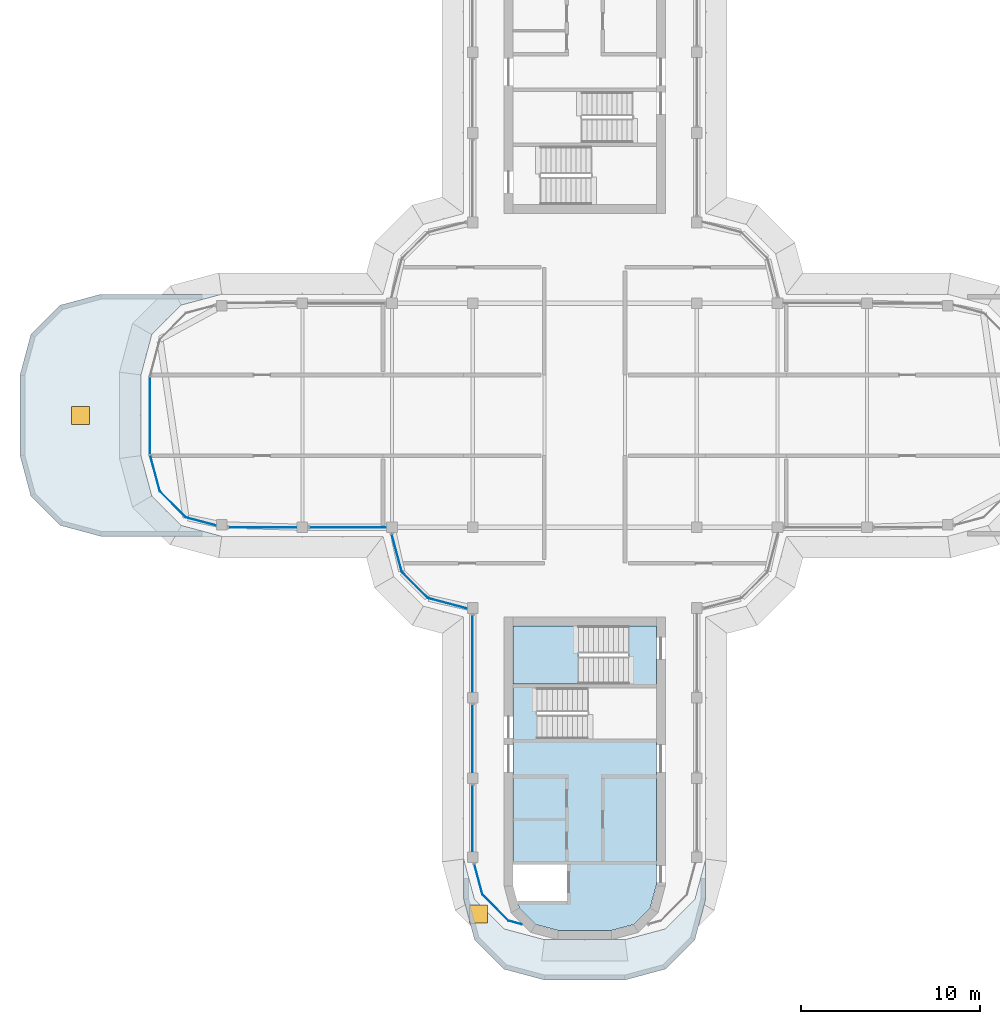
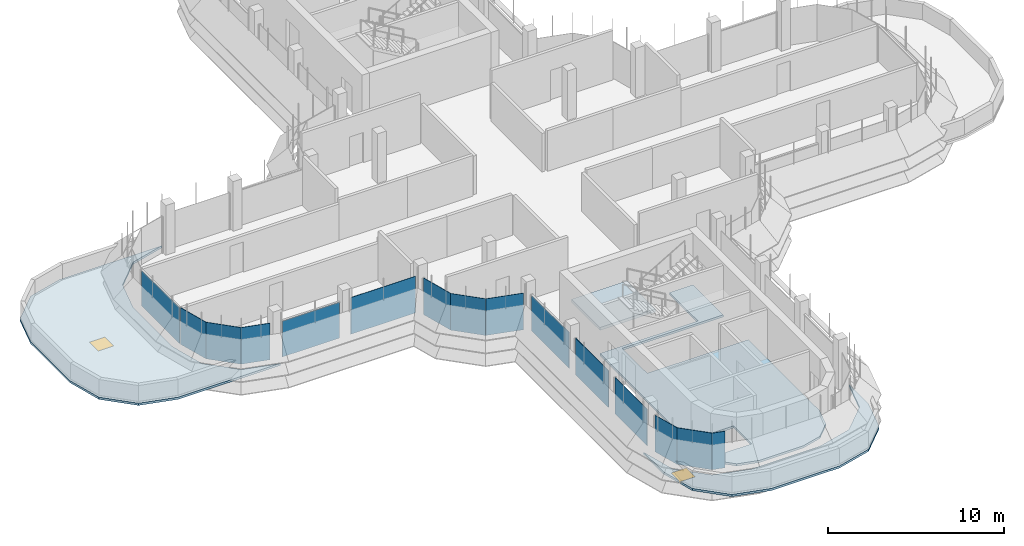
# One storey, part 9 of 20: 15 plates, 4 slabs, 2 windows, 2 openings, 13 elements without a shape of their own.
"""IFC4 building model written with IfcOpenShell, lengths in metres."""

from ifc_helpers import new_model, si_unit, direction, frame, origin, origin_2d, place, context, subcontext, project, spatial, polyline, rectangle, outline, extrude, source, transform, mapped, material, layer, layer_set, type_object, element, fill, aggregate, save


model = new_model("IFC4")

# Units and contexts
model_context = context("Model", 3, precision=1e-05, world=origin(), true_north=direction((0.0, 1.0)))
body_context = subcontext(model_context, "Body", "Model", "MODEL_VIEW")
ifc_project = project(units=[si_unit("LENGTHUNIT", "METRE"), si_unit("AREAUNIT", "SQUARE_METRE"), si_unit("VOLUMEUNIT", "CUBIC_METRE"), si_unit("PLANEANGLEUNIT", "RADIAN"), si_unit("MASSUNIT", "GRAM", prefix="KILO")], contexts=[model_context])

# Site, building, storey
site_placement = place(None, origin())
site = spatial("IfcSite", under=ifc_project, at=site_placement, CompositionType="ELEMENT")
building_placement = place(site_placement, origin())
building = spatial("IfcBuilding", under=site, at=building_placement, Name="Zarbagh Exchange Tower", CompositionType="ELEMENT")
storey_placement = place(building_placement, frame((0.0, 0.0, 291.60009765625)))
storey = spatial("IfcBuildingStorey", under=building, at=storey_placement, Name="L71", CompositionType="ELEMENT", Elevation=291.60009765625)

# Slab
ifc_material_1 = material(Name="Concrete C40/50", Category="concrete")
ifc_layer_1 = layer(ifc_material_1, 0.14990234375)
ifc_layer_set_1 = layer_set([ifc_layer_1], Name="Core floor slab 150 C40/50")
slab_type_1 = type_object("IfcSlabType", Name="Core floor slab 150 C40/50", PredefinedType="FLOOR", material=ifc_layer_set_1)
slab_1_placement = place(storey_placement, frame((0.0, 0.0, -0.150146484375)))
element("IfcSlab", 1, at=slab_1_placement, inside=storey, type_object=slab_type_1, Name="S17 core S", PredefinedType="FLOOR", context=body_context, shape_type="SweptSolid", body=[
    extrude(outline(polyline([(-2.7412109375, -28.39990234375), (-3.64990234375, -27.4912109375), (-3.857666015625, -26.715087890625), (-3.754638671875, -27.10009765625), (-1.0, -27.10009765625), (-1.0, -25.050048828125), (-4.0, -25.050048828125), (-4.0, -15.0), (2.449951171875, -15.0), (2.449951171875, -11.75), (4.0, -11.75), (4.0, -15.199951171875), (-2.64990234375, -15.199951171875), (-2.64990234375, -18.050048828125), (4.0, -18.050048828125), (4.0, -26.18408203125), (3.64990234375, -27.4912109375), (2.7412109375, -28.39990234375), (1.43408203125, -28.75), (-1.43408203125, -28.75), (-2.7412109375, -28.39990234375)])), origin(), (0.0, 0.0, 1.0), 0.150146484375),
])

# Slab, opening, window
ifc_layer_2 = layer(ifc_material_1, 0.14990234375)
ifc_layer_set_2 = layer_set([ifc_layer_2], Name="Crown terrace roof slab 150 C40/50")
slab_type_2 = type_object("IfcSlabType", Name="Crown terrace roof slab 150 C40/50", PredefinedType="ROOF", material=ifc_layer_set_2)
slab_2_placement = place(storey_placement, frame((0.0, 0.0, -0.150146484375)))
slab_2 = element("IfcSlab", 2, at=slab_2_placement, inside=storey, type_object=slab_type_2, Name="S11 crown terrace roof slab", PredefinedType="ROOF", context=body_context, shape_type="SweptSolid", body=[
    extrude(outline(polyline([(-2.25, -31.5), (-4.5, -30.897216796875), (-6.147216796875, -29.25), (-6.75, -27.0), (-6.75, -24.75), (-6.147216796875, -27.0), (-4.5, -28.647216796875), (-2.25, -29.25), (2.25, -29.25), (4.5, -28.647216796875), (6.147216796875, -27.0), (6.75, -24.75), (6.75, -27.0), (6.147216796875, -29.25), (4.5, -30.897216796875), (2.25, -31.5), (-2.25, -31.5)])), origin(), (0.0, 0.0, 1.0), 0.150146484375),
])
opening_1_placement = place(slab_2_placement, frame((-5.926513671875, -27.823486328125, 0.0)))
opening_1 = element("IfcOpeningElement", 3, at=opening_1_placement, cuts=slab_2, Name="Opening RH01", PredefinedType="OPENING", context=body_context, shape_type="SweptSolid", body=[
    extrude(rectangle(XDim=1.0, YDim=1.0, at=origin_2d()), frame((0.0, 0.0, -0.010009765625)), (0.0, 0.0, 1.0), 0.170166015625),
])
ifc_material_2 = material(Name="Aluminium", Category="aluminium")
window_type = type_object("IfcWindowType", Name="Roof access hatch, insulated aluminium", PartitioningType="SINGLE_PANEL", PredefinedType="SKYLIGHT", material=ifc_material_2)
window_1_placement = place(opening_1_placement, frame((0.0, 0.0, 0.10009765625)))
window_1 = element("IfcWindow", 4, at=window_1_placement, inside=storey, type_object=window_type, Name="RH01 roof access hatch", OverallHeight=1.0, OverallWidth=1.0, PartitioningType="SINGLE_PANEL", PredefinedType="SKYLIGHT", context=body_context, shape_type="SweptSolid", body=[
    extrude(rectangle(XDim=1.0, YDim=1.0, at=origin_2d()), origin(), (0.0, 0.0, 1.0), 0.050048828125),
])
fill(opening_1, window_1)

slab_3_placement = place(storey_placement, frame((0.0, 0.0, -0.150146484375)))
slab_3 = element("IfcSlab", 5, at=slab_3_placement, inside=storey, type_object=slab_type_2, Name="S11 crown terrace roof slab", PredefinedType="ROOF", context=body_context, shape_type="SweptSolid", body=[
    extrude(outline(polyline([(-27.0, -6.75), (-29.25, -6.147216796875), (-30.897216796875, -4.5), (-31.5, -2.25), (-31.5, 2.25), (-30.897216796875, 4.5), (-29.25, 6.147216796875), (-27.0, 6.75), (-20.25, 6.75), (-22.5, 6.147216796875), (-24.147216796875, 4.5), (-24.75, 2.25), (-24.75, -2.25), (-24.147216796875, -4.5), (-22.5, -6.147216796875), (-20.25, -6.75), (-27.0, -6.75)])), origin(), (0.0, 0.0, 1.0), 0.150146484375),
])
opening_2_placement = place(slab_3_placement, frame((-28.125, 0.0, 0.0)))
opening_2 = element("IfcOpeningElement", 6, at=opening_2_placement, cuts=slab_3, Name="Opening RH01", PredefinedType="OPENING", context=body_context, shape_type="SweptSolid", body=[
    extrude(rectangle(XDim=1.0, YDim=1.0, at=origin_2d()), frame((0.0, 0.0, -0.010009765625)), (0.0, 0.0, 1.0), 0.170166015625),
])
window_2_placement = place(opening_2_placement, frame((0.0, 0.0, 0.10009765625)))
window_2 = element("IfcWindow", 7, at=window_2_placement, inside=storey, type_object=window_type, Name="RH01 roof access hatch", OverallHeight=1.0, OverallWidth=1.0, PartitioningType="SINGLE_PANEL", PredefinedType="SKYLIGHT", context=body_context, shape_type="SweptSolid", body=[
    extrude(rectangle(XDim=1.0, YDim=1.0, at=origin_2d()), origin(), (0.0, 0.0, 1.0), 0.050048828125),
])
fill(opening_2, window_2)

# Stair, slab
stair_type = type_object("IfcStairType", Name="Exit stair two-flight half-turn", PredefinedType="HALF_TURN_STAIR", material=ifc_material_1)
stair_placement = place(storey_placement, origin())
stair = element("IfcStair", 8, at=stair_placement, inside=storey, type_object=stair_type, Name="exit stair ST4", PredefinedType="HALF_TURN_STAIR")
ifc_layer_3 = layer(ifc_material_1, 0.199951171875)
ifc_layer_set_3 = layer_set([ifc_layer_3], Name="Stair landing 200 mm")
slab_type_3 = type_object("IfcSlabType", Name="Stair landing 200 mm", PredefinedType="LANDING", material=ifc_layer_set_3)
slab_4_placement = place(storey_placement, frame((0.0, 0.0, 1.599853515625)))
slab_4 = element("IfcSlab", 9, at=slab_4_placement, type_object=slab_type_3, Name="ST4 landing 1", PredefinedType="LANDING", context=body_context, shape_type="SweptSolid", body=[
    extrude(outline(polyline([(-0.35009765625, -11.75), (-4.0, -11.75), (-4.0, -15.0), (-0.35009765625, -15.0), (-0.35009765625, -11.75)])), origin(), (0.0, 0.0, 1.0), 0.199951171875),
])
aggregate(stair, [slab_4])

# Curtain wall, plate
ifc_material_3 = material(Name="Anodised aluminium frame and glazing", Category="aluminium")
curtain_wall_type = type_object("IfcCurtainWallType", Name="CWF Crown tier glazing", PredefinedType="NOTDEFINED", material=ifc_material_3)
curtain_wall_1_placement = place(storey_placement, origin())
curtain_wall_1 = element("IfcCurtainWall", 10, at=curtain_wall_1_placement, inside=storey, type_object=curtain_wall_type, Name="CWF37 curtain wall", PredefinedType="NOTDEFINED")
ifc_material_4 = material(Name="Low-e double glazed unit, 6+12+6 mm")
ifc_layer_4 = layer(ifc_material_4, 0.028076171875)
ifc_layer_set_4 = layer_set([ifc_layer_4], Name="PAF Glazing panel, Low-e double glazed unit, 6+12+6 mm")
plate_type = type_object("IfcPlateType", Name="PAF Glazing panel, Low-e double glazed unit, 6+12+6 mm", PredefinedType="CURTAIN_PANEL", material=ifc_layer_set_4)
shared_shape_1 = source(origin(), body_context, "Body", "SweptSolid", [
    extrude(outline(polyline([(0.0, -0.013916015625), (2.061279296875, -0.013916015625), (2.061279296875, 0.013916015625), (0.0, 0.013916015625), (0.0, -0.013916015625)])), origin(), (0.0, 0.0, 1.0), 2.550048828125),
])
placement = place(storey_placement, origin())
plate_1 = element("IfcPlate", 11, at=placement, type_object=plate_type, Name="CWF37 glazing panel 1.1", PredefinedType="CURTAIN_PANEL", context=body_context, shape_type="MappedRepresentation", body=[
    mapped(shared_shape_1, transform((-23.69873046875, -4.2412109375, 0.0), x_axis=(0.707106781187, -0.707106781187, 0.0), y_axis=(0.707106781187, 0.707106781187, 0.0), z_axis=(0.0, 0.0, 1.0))),
])
aggregate(curtain_wall_1, [plate_1])

curtain_wall_2_placement = place(storey_placement, origin())
curtain_wall_2 = element("IfcCurtainWall", 12, at=curtain_wall_2_placement, inside=storey, type_object=curtain_wall_type, Name="CWF41 curtain wall", PredefinedType="NOTDEFINED")
plate_2 = element("IfcPlate", 13, at=placement, type_object=plate_type, Name="CWF41 glazing panel 1.1", PredefinedType="CURTAIN_PANEL", context=body_context, shape_type="MappedRepresentation", body=[
    mapped(shared_shape_1, transform((-10.19873046875, -8.7412109375, 0.0), x_axis=(0.707106781187, -0.707106781187, 0.0), y_axis=(0.707106781187, 0.707106781187, 0.0), z_axis=(0.0, 0.0, 1.0))),
])
aggregate(curtain_wall_2, [plate_2])

curtain_wall_3_placement = place(storey_placement, origin())
curtain_wall_3 = element("IfcCurtainWall", 14, at=curtain_wall_3_placement, inside=storey, type_object=curtain_wall_type, Name="CWF45 curtain wall", PredefinedType="NOTDEFINED")
plate_3 = element("IfcPlate", 15, at=placement, type_object=plate_type, Name="CWF45 glazing panel 1.1", PredefinedType="CURTAIN_PANEL", context=body_context, shape_type="MappedRepresentation", body=[
    mapped(shared_shape_1, transform((-5.69873046875, -26.7412109375, 0.0), x_axis=(0.707106781187, -0.707106781187, 0.0), y_axis=(0.707106781187, 0.707106781187, 0.0), z_axis=(0.0, 0.0, 1.0))),
])
aggregate(curtain_wall_3, [plate_3])

curtain_wall_4_placement = place(storey_placement, origin())
curtain_wall_4 = element("IfcCurtainWall", 16, at=curtain_wall_4_placement, inside=storey, type_object=curtain_wall_type, Name="CWF43 curtain wall", PredefinedType="NOTDEFINED")
shared_shape_2 = source(origin(), body_context, "Body", "SweptSolid", [
    extrude(outline(polyline([(0.0, -0.013916015625), (3.760009765625, -0.013916015625), (3.760009765625, 0.013916015625), (0.0, 0.013916015625), (0.0, -0.013916015625)])), origin(), (0.0, 0.0, 1.0), 2.550048828125),
])
plate_4 = element("IfcPlate", 17, at=placement, type_object=plate_type, Name="CWF43 glazing panel 2.1", PredefinedType="CURTAIN_PANEL", context=body_context, shape_type="MappedRepresentation", body=[
    mapped(shared_shape_2, transform((-6.25, -16.150146484375, 0.0), x_axis=(0.0, -1.0, 0.0), y_axis=(1.0, 0.0, 0.0), z_axis=(0.0, 0.0, 1.0))),
])

curtain_wall_5_placement = place(storey_placement, origin())
curtain_wall_5 = element("IfcCurtainWall", 18, at=curtain_wall_5_placement, inside=storey, type_object=curtain_wall_type, Name="CWF39 curtain wall", PredefinedType="NOTDEFINED")
shared_shape_3 = source(origin(), body_context, "Body", "SweptSolid", [
    extrude(outline(polyline([(0.0, -0.013916015625), (4.260009765625, -0.013916015625), (4.260009765625, 0.013916015625), (0.0, 0.013916015625), (0.0, -0.013916015625)])), origin(), (0.0, 0.0, 1.0), 2.550048828125),
])
plate_5 = element("IfcPlate", 19, at=placement, type_object=plate_type, Name="CWF39 glazing panel 2.1", PredefinedType="CURTAIN_PANEL", context=body_context, shape_type="MappedRepresentation", body=[
    mapped(shared_shape_3, transform((-15.349853515625, -6.25, 0.0), x_axis=(1.0, 0.0, 0.0), y_axis=(0.0, 1.0, 0.0), z_axis=(0.0, 0.0, 1.0))),
])

curtain_wall_6_placement = place(storey_placement, origin())
curtain_wall_6 = element("IfcCurtainWall", 20, at=curtain_wall_6_placement, inside=storey, type_object=curtain_wall_type, Name="CWF40 curtain wall", PredefinedType="NOTDEFINED")
shared_shape_4 = source(origin(), body_context, "Body", "SweptSolid", [
    extrude(outline(polyline([(0.0, -0.013916015625), (2.1669921875, -0.013916015625), (2.1669921875, 0.013916015625), (0.0, 0.013916015625), (0.0, -0.013916015625)])), origin(), (0.0, 0.0, 1.0), 2.550048828125),
])
plate_6 = element("IfcPlate", 21, at=placement, type_object=plate_type, Name="CWF40 glazing panel 1.1", PredefinedType="CURTAIN_PANEL", context=body_context, shape_type="MappedRepresentation", body=[
    mapped(shared_shape_4, transform((-10.759765625, -6.64794921875, 0.0), x_axis=(0.258824779902, -0.965924289636, 0.0), y_axis=(0.965924289636, 0.258824779902, 0.0), z_axis=(0.0, 0.0, 1.0))),
])
aggregate(curtain_wall_6, [plate_6])

curtain_wall_7_placement = place(storey_placement, origin())
curtain_wall_7 = element("IfcCurtainWall", 22, at=curtain_wall_7_placement, inside=storey, type_object=curtain_wall_type, Name="CWF42 curtain wall", PredefinedType="NOTDEFINED")
shared_shape_5 = source(origin(), body_context, "Body", "SweptSolid", [
    extrude(outline(polyline([(0.0, -0.013916015625), (2.22705078125, -0.013916015625), (2.22705078125, 0.013916015625), (0.0, 0.013916015625), (0.0, -0.013916015625)])), origin(), (0.0, 0.0, 1.0), 2.550048828125),
])
plate_7 = element("IfcPlate", 23, at=placement, type_object=plate_type, Name="CWF42 glazing panel 1.1", PredefinedType="CURTAIN_PANEL", context=body_context, shape_type="MappedRepresentation", body=[
    mapped(shared_shape_5, transform((-8.7412109375, -10.19873046875, 0.0), x_axis=(0.965924289636, -0.258824779902, 0.0), y_axis=(0.258824779902, 0.965924289636, 0.0), z_axis=(0.0, 0.0, 1.0))),
])
aggregate(curtain_wall_7, [plate_7])

# Plate
shared_shape_6 = source(origin(), body_context, "Body", "SweptSolid", [
    extrude(outline(polyline([(0.0, -0.013916015625), (4.260009765625, -0.013916015625), (4.260009765625, 0.013916015625), (0.0, 0.013916015625), (0.0, -0.013916015625)])), origin(), (0.0, 0.0, 1.0), 2.489990234375),
])
plate_8 = element("IfcPlate", 24, at=placement, type_object=plate_type, Name="CWF43 glazing panel 1.1", PredefinedType="CURTAIN_PANEL", context=body_context, shape_type="MappedRepresentation", body=[
    mapped(shared_shape_6, transform((-6.25, -11.150146484375, 0.0), x_axis=(0.0, -1.0, 0.0), y_axis=(1.0, 0.0, 0.0), z_axis=(0.0, 0.0, 1.0))),
])

# Curtain wall, plate
curtain_wall_8_placement = place(storey_placement, origin())
curtain_wall_8 = element("IfcCurtainWall", 25, at=curtain_wall_8_placement, inside=storey, type_object=curtain_wall_type, Name="CWF35 curtain wall", PredefinedType="NOTDEFINED")
shared_shape_7 = source(origin(), body_context, "Body", "SweptSolid", [
    extrude(outline(polyline([(0.0, -0.013916015625), (4.308349609375, -0.013916015625), (4.308349609375, 0.013916015625), (0.0, 0.013916015625), (0.0, -0.013916015625)])), origin(), (0.0, 0.0, 1.0), 2.489990234375),
])
plate_9 = element("IfcPlate", 26, at=placement, type_object=plate_type, Name="CWF35 glazing panel 1.1", PredefinedType="CURTAIN_PANEL", context=body_context, shape_type="MappedRepresentation", body=[
    mapped(shared_shape_7, transform((-24.25, 2.124267578125, 0.0), x_axis=(0.0, -1.0, 0.0), y_axis=(1.0, 0.0, 0.0), z_axis=(0.0, 0.0, 1.0))),
])
aggregate(curtain_wall_8, [plate_9])

curtain_wall_9_placement = place(storey_placement, origin())
curtain_wall_9 = element("IfcCurtainWall", 27, at=curtain_wall_9_placement, inside=storey, type_object=curtain_wall_type, Name="CWF36 curtain wall", PredefinedType="NOTDEFINED")
shared_shape_8 = source(origin(), body_context, "Body", "SweptSolid", [
    extrude(outline(polyline([(0.0, -0.013916015625), (2.069580078125, -0.013916015625), (2.069580078125, 0.013916015625), (0.0, 0.013916015625), (0.0, -0.013916015625)])), origin(), (0.0, 0.0, 1.0), 2.550048828125),
])
plate_10 = element("IfcPlate", 28, at=placement, type_object=plate_type, Name="CWF36 glazing panel 1.1", PredefinedType="CURTAIN_PANEL", context=body_context, shape_type="MappedRepresentation", body=[
    mapped(shared_shape_8, transform((-24.234375, -2.2421875, 0.0), x_axis=(0.258824779902, -0.965924289636, 0.0), y_axis=(0.965924289636, 0.258824779902, 0.0), z_axis=(0.0, 0.0, 1.0))),
])
aggregate(curtain_wall_9, [plate_10])

curtain_wall_10_placement = place(storey_placement, origin())
curtain_wall_10 = element("IfcCurtainWall", 29, at=curtain_wall_10_placement, inside=storey, type_object=curtain_wall_type, Name="CWF38 curtain wall", PredefinedType="NOTDEFINED")
shared_shape_9 = source(origin(), body_context, "Body", "SweptSolid", [
    extrude(outline(polyline([(0.0, -0.013916015625), (1.70947265625, -0.013916015625), (1.70947265625, 0.013916015625), (0.0, 0.013916015625), (0.0, -0.013916015625)])), origin(), (0.0, 0.0, 1.0), 2.550048828125),
])
plate_11 = element("IfcPlate", 30, at=placement, type_object=plate_type, Name="CWF38 glazing panel 1.1", PredefinedType="CURTAIN_PANEL", context=body_context, shape_type="MappedRepresentation", body=[
    mapped(shared_shape_9, transform((-22.2412109375, -5.69873046875, 0.0), x_axis=(0.965924289636, -0.258824779902, 0.0), y_axis=(0.258824779902, 0.965924289636, 0.0), z_axis=(0.0, 0.0, 1.0))),
])
aggregate(curtain_wall_10, [plate_11])

# Plate
shared_shape_10 = source(origin(), body_context, "Body", "SweptSolid", [
    extrude(outline(polyline([(0.0, -0.013916015625), (3.760009765625, -0.013916015625), (3.760009765625, 0.013916015625), (0.0, 0.013916015625), (0.0, -0.013916015625)])), origin(), (0.0, 0.0, 1.0), 2.489990234375),
])
plate_12 = element("IfcPlate", 31, at=placement, type_object=plate_type, Name="CWF39 glazing panel 1.1", PredefinedType="CURTAIN_PANEL", context=body_context, shape_type="MappedRepresentation", body=[
    mapped(shared_shape_10, transform((-19.849853515625, -6.25, 0.0), x_axis=(1.0, 0.0, 0.0), y_axis=(0.0, 1.0, 0.0), z_axis=(0.0, 0.0, 1.0))),
])

aggregate(curtain_wall_5, [plate_12, plate_5])

shared_shape_11 = source(origin(), body_context, "Body", "SweptSolid", [
    extrude(outline(polyline([(0.0, -0.013916015625), (3.659912109375, -0.013916015625), (3.659912109375, 0.013916015625), (0.0, 0.013916015625), (0.0, -0.013916015625)])), origin(), (0.0, 0.0, 1.0), 2.550048828125),
])
plate_13 = element("IfcPlate", 32, at=placement, type_object=plate_type, Name="CWF43 glazing panel 3.1", PredefinedType="CURTAIN_PANEL", context=body_context, shape_type="MappedRepresentation", body=[
    mapped(shared_shape_11, transform((-6.25, -20.650146484375, 0.0), x_axis=(0.0, -1.0, 0.0), y_axis=(1.0, 0.0, 0.0), z_axis=(0.0, 0.0, 1.0))),
])

aggregate(curtain_wall_4, [plate_8, plate_4, plate_13])

# Curtain wall, plate
curtain_wall_11_placement = place(storey_placement, origin())
curtain_wall_11 = element("IfcCurtainWall", 33, at=curtain_wall_11_placement, inside=storey, type_object=curtain_wall_type, Name="CWF44 curtain wall", PredefinedType="NOTDEFINED")
shared_shape_12 = source(origin(), body_context, "Body", "SweptSolid", [
    extrude(outline(polyline([(0.0, -0.013916015625), (1.7529296875, -0.013916015625), (1.7529296875, 0.013916015625), (0.0, 0.013916015625), (0.0, -0.013916015625)])), origin(), (0.0, 0.0, 1.0), 2.550048828125),
])
plate_14 = element("IfcPlate", 34, at=placement, type_object=plate_type, Name="CWF44 glazing panel 1.1", PredefinedType="CURTAIN_PANEL", context=body_context, shape_type="MappedRepresentation", body=[
    mapped(shared_shape_12, transform((-6.152587890625, -25.0478515625, 0.0), x_axis=(0.258824779902, -0.965924289636, 0.0), y_axis=(0.965924289636, 0.258824779902, 0.0), z_axis=(0.0, 0.0, 1.0))),
])
aggregate(curtain_wall_11, [plate_14])

curtain_wall_12_placement = place(storey_placement, origin())
curtain_wall_12 = element("IfcCurtainWall", 35, at=curtain_wall_12_placement, inside=storey, type_object=curtain_wall_type, Name="CWF46 curtain wall", PredefinedType="NOTDEFINED")
shared_shape_13 = source(origin(), body_context, "Body", "SweptSolid", [
    extrude(outline(polyline([(0.0, -0.013916015625), (0.757080078125, -0.013916015625), (0.757080078125, 0.013916015625), (0.0, 0.013916015625), (0.0, -0.013916015625)])), origin(), (0.0, 0.0, 1.0), 2.550048828125),
])
plate_15 = element("IfcPlate", 36, at=placement, type_object=plate_type, Name="CWF46 glazing panel 1.1", PredefinedType="CURTAIN_PANEL", context=body_context, shape_type="MappedRepresentation", body=[
    mapped(shared_shape_13, transform((-4.2412109375, -28.19873046875, 0.0), x_axis=(0.965924289636, -0.258824779902, 0.0), y_axis=(0.258824779902, 0.965924289636, 0.0), z_axis=(0.0, 0.0, 1.0))),
])
aggregate(curtain_wall_12, [plate_15])

save(model, "model.ifc")
